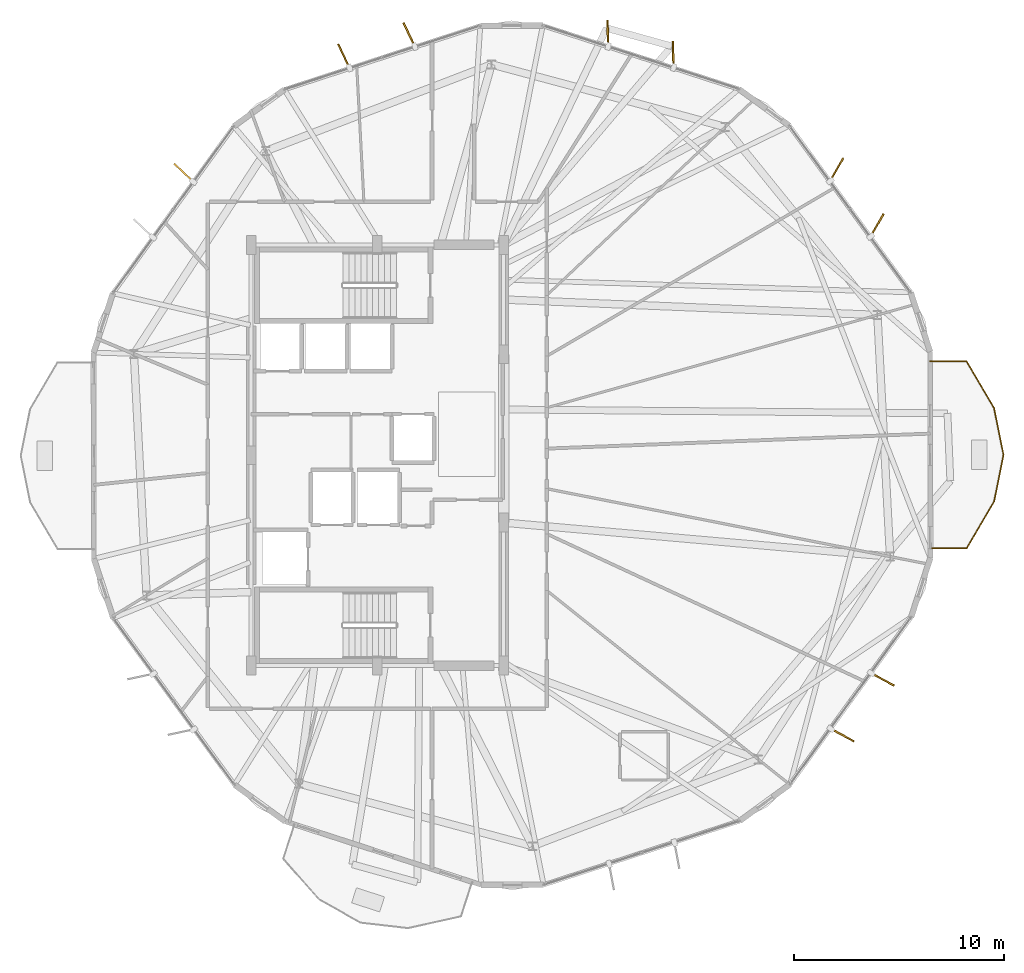
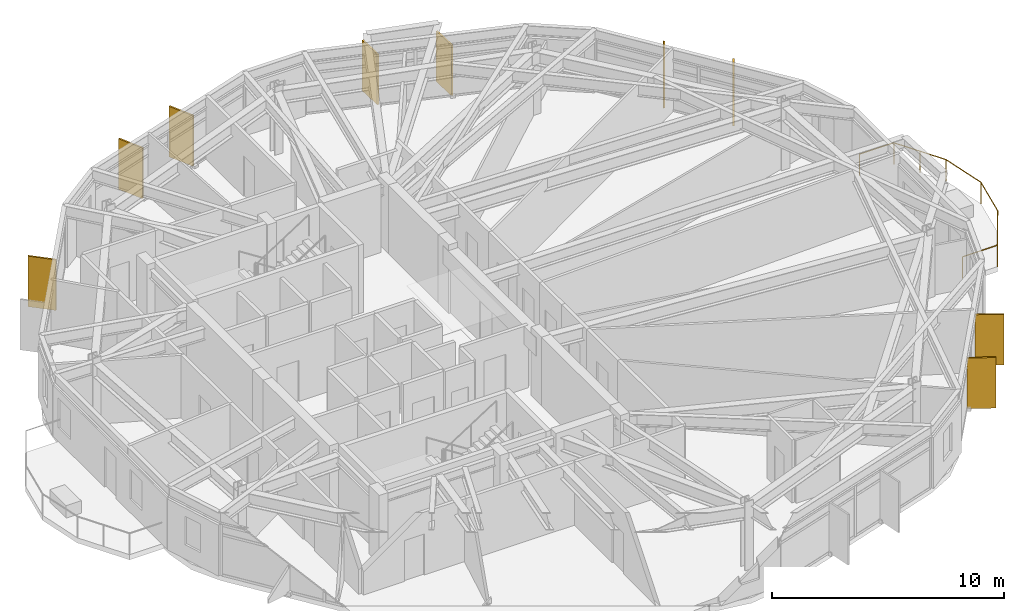
# One storey, part 31 of 31: 9 shading devices, 1 railing.
"""IFC4 building model written with IfcOpenShell, lengths in metres."""

from ifc_helpers import new_model, si_unit, direction, frame, origin, origin_2d, place, context, subcontext, project, spatial, rectangle, circle, extrude, material, layer, layer_set, type_object, element, save


model = new_model("IFC4")

# Units and contexts
model_context = context("Model", 3, precision=1e-05, world=origin(), true_north=direction((0.0, 1.0)))
body_context = subcontext(model_context, "Body", "Model", "MODEL_VIEW")
ifc_project = project(units=[si_unit("LENGTHUNIT", "METRE"), si_unit("AREAUNIT", "SQUARE_METRE"), si_unit("VOLUMEUNIT", "CUBIC_METRE"), si_unit("PLANEANGLEUNIT", "RADIAN"), si_unit("MASSUNIT", "GRAM", prefix="KILO")], contexts=[model_context])

# Site, building, storey
site_placement = place(None, origin())
site = spatial("IfcSite", under=ifc_project, at=site_placement, CompositionType="ELEMENT")
building_placement = place(site_placement, origin())
building = spatial("IfcBuilding", under=site, at=building_placement, Name="Soratama Intermodal Tower", CompositionType="ELEMENT")
storey_placement = place(building_placement, frame((0.0, 0.0, 230.199951171875)))
storey = spatial("IfcBuildingStorey", under=building, at=storey_placement, Name="L58", CompositionType="ELEMENT", Elevation=230.199951171875)

# Railing
ifc_material_1 = material(Name="Laminated glass and stainless steel balustrade", Category="steel")
railing_type = type_object("IfcRailingType", Name="RL-BAL-1150", PredefinedType="BALUSTRADE", material=ifc_material_1)
railing_placement = place(storey_placement, frame((64.872314453125, 29.4697265625, 0.0)))
element("IfcRailing", 1, at=railing_placement, inside=storey, type_object=railing_type, Name="L58 Balcony Balustrade 1", PredefinedType="BALUSTRADE", context=body_context, shape_type="SweptSolid", body=[
    extrude(circle(Radius=0.02392578125, at=origin_2d()), frame((0.0, 0.0, 1.1259765625), z_axis=(0.999999506367, 0.000993612001, 0.0), x_axis=(-0.000993612001, 0.999999506367, 0.0)), (0.0, 0.0, 1.0), 1.719970703125),
    extrude(circle(Radius=0.02392578125, at=origin_2d()), frame((1.719970703125, 0.001708984375, 1.1259765625), z_axis=(0.508643292439, -0.860977352232, 0.0), x_axis=(0.860977352232, 0.508643292439, 0.0)), (0.0, 0.0, 1.0), 2.581787109375),
    extrude(circle(Radius=0.02392578125, at=origin_2d()), frame((3.033203125, -2.22119140625, 1.1259765625), z_axis=(0.198908180351, -0.980018130337, 0.0), x_axis=(0.980018130337, 0.198908180351, 0.0)), (0.0, 0.0, 1.0), 2.26953125),
    extrude(circle(Radius=0.02392578125, at=origin_2d()), frame((3.484619140625, -4.4453125, 1.1259765625), z_axis=(-0.196778169485, -0.980448036366, 0.0), x_axis=(0.980448036366, -0.196778169485, 0.0)), (0.0, 0.0, 1.0), 2.269287109375),
    extrude(circle(Radius=0.02392578125, at=origin_2d()), frame((3.0380859375, -6.670166015625, 1.1259765625), z_axis=(-0.506813501344, -0.862055726073, 0.0), x_axis=(0.862055726073, -0.506813501344, 0.0)), (0.0, 0.0, 1.0), 2.58203125),
    extrude(circle(Radius=0.02392578125, at=origin_2d()), frame((1.7294921875, -8.89599609375, 1.1259765625), z_axis=(-0.999999506508, -0.000993470983, 0.0), x_axis=(0.000993470983, -0.999999506508, 0.0)), (0.0, 0.0, 1.0), 1.72021484375),
    extrude(circle(Radius=0.02099609375, at=origin_2d()), origin(), (0.0, 0.0, 1.0), 1.101806640625),
    extrude(circle(Radius=0.02099609375, at=origin_2d()), frame((1.719970703125, 0.001708984375, 0.0)), (0.0, 0.0, 1.0), 1.101806640625),
    extrude(circle(Radius=0.02099609375, at=origin_2d()), frame((2.37646484375, -1.10986328125, 0.0)), (0.0, 0.0, 1.0), 1.101806640625),
    extrude(circle(Radius=0.02099609375, at=origin_2d()), frame((3.033203125, -2.22119140625, 0.0)), (0.0, 0.0, 1.0), 1.101806640625),
    extrude(circle(Radius=0.02099609375, at=origin_2d()), frame((3.484619140625, -4.4453125, 0.0)), (0.0, 0.0, 1.0), 1.101806640625),
    extrude(circle(Radius=0.02099609375, at=origin_2d()), frame((3.0380859375, -6.670166015625, 0.0)), (0.0, 0.0, 1.0), 1.101806640625),
    extrude(circle(Radius=0.02099609375, at=origin_2d()), frame((2.3837890625, -7.783203125, 0.0)), (0.0, 0.0, 1.0), 1.101806640625),
    extrude(circle(Radius=0.02099609375, at=origin_2d()), frame((1.7294921875, -8.89599609375, 0.0)), (0.0, 0.0, 1.0), 1.101806640625),
    extrude(circle(Radius=0.02099609375, at=origin_2d()), frame((0.00927734375, -8.897705078125, 0.0)), (0.0, 0.0, 1.0), 1.101806640625),
])

# Shading devices
ifc_material_2 = material(Name="Champagne anodised aluminium solar fin", Category="aluminium")
ifc_layer = layer(ifc_material_2, 0.080078125)
ifc_layer_set = layer_set([ifc_layer], Name="Champagne anodised aluminium solar fin")
shading_device_type = type_object("IfcShadingDeviceType", Name="SH-FIN-1250", PredefinedType="USERDEFINED", material=ifc_layer_set)
for number, where, z_axis, x_axis, name in (
    (2, (52.659423828125, 44.052490234375, 0.02001953125), (0.0, 0.0, 1.0), (-0.025828000486, 0.999666401551, 0.0), "L58 Solar Fin F01-1"),
    (3, (49.55224609375, 45.058349609375, 0.02001953125), (0.0, 0.0, 1.0), (-0.025828000486, 0.999666401551, 0.0), "L58 Solar Fin F01-2"),
    (4, (40.11279296875, 44.986328125, 0.02001953125), (0.0, 0.0, 1.0), (-0.430196008887, 0.90273550608, 0.0), "L58 Solar Fin F02-1"),
    (5, (37.0078125, 43.973876953125, 0.02001953125), (0.0, 0.0, 1.0), (-0.430196008887, 0.90273550608, 0.0), "L58 Solar Fin F02-2"),
    (6, (29.396484375, 38.431640625, 0.02001953125), (0.0, 0.0, 1.0), (-0.727054171443, 0.686580098596, 0.0), "L58 Solar Fin F03-1"),
    (7, (60.701416015625, 11.703369140625, 0.02001953125), (0.0, 0.0, 1.0), (0.878650499296, -0.477465496226, 0.0), "L58 Solar Fin F08-1"),
    (8, (62.618408203125, 14.347412109375, 0.02001953125), (0.0, 0.0, 1.0), (0.878650499296, -0.477465496226, 0.0), "L58 Solar Fin F08-2"),
    (9, (62.351806640625, 35.939208984375, 0.02001953125), (0.0, 0.0, 1.0), (0.499092826328, 0.866548527613, 0.0), "L58 Solar Fin F10-1"),
    (10, (60.42919921875, 38.579345703125, 0.02001953125), (0.0, 0.0, 1.0), (0.499092826328, 0.866548527613, 0.0), "L58 Solar Fin F10-2"),
):
    element("IfcShadingDevice", number, at=place(storey_placement, frame(where, z_axis=z_axis, x_axis=x_axis)), inside=storey, type_object=shading_device_type, Name=name, ObjectType="FIN", PredefinedType="USERDEFINED", context=body_context, shape_type="SweptSolid", body=[
        extrude(rectangle(XDim=1.25, YDim=0.080078125, at=origin_2d()), origin(), (0.0, 0.0, 1.0), 2.658935546875),
    ])

save(model, "model.ifc")
